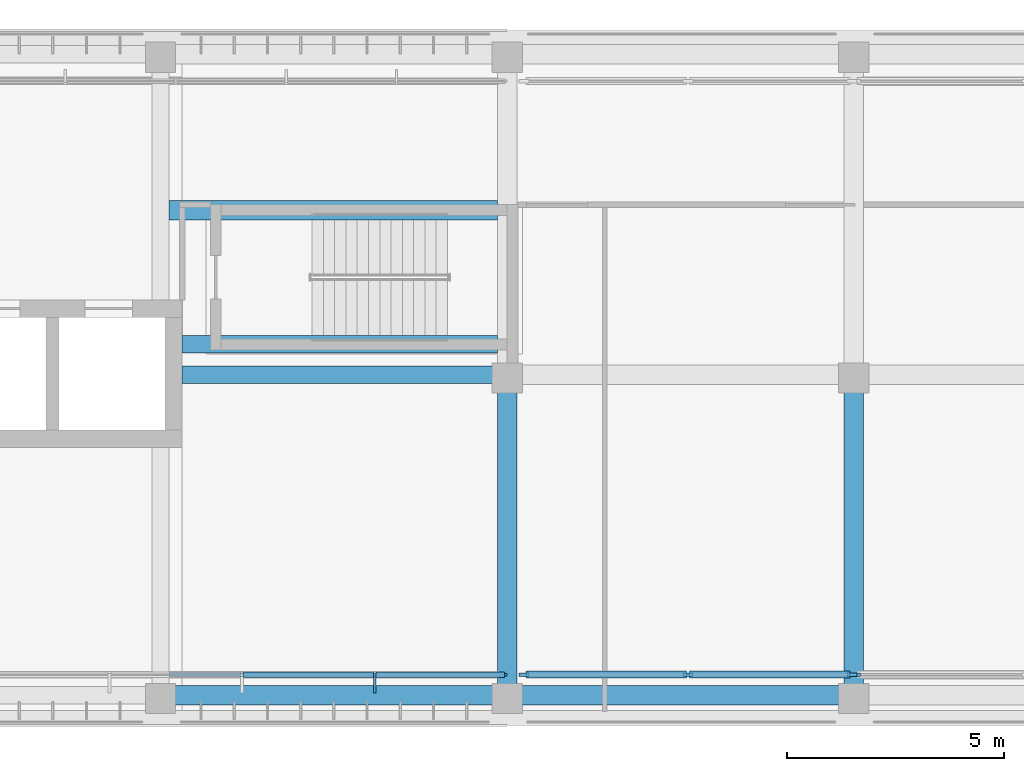
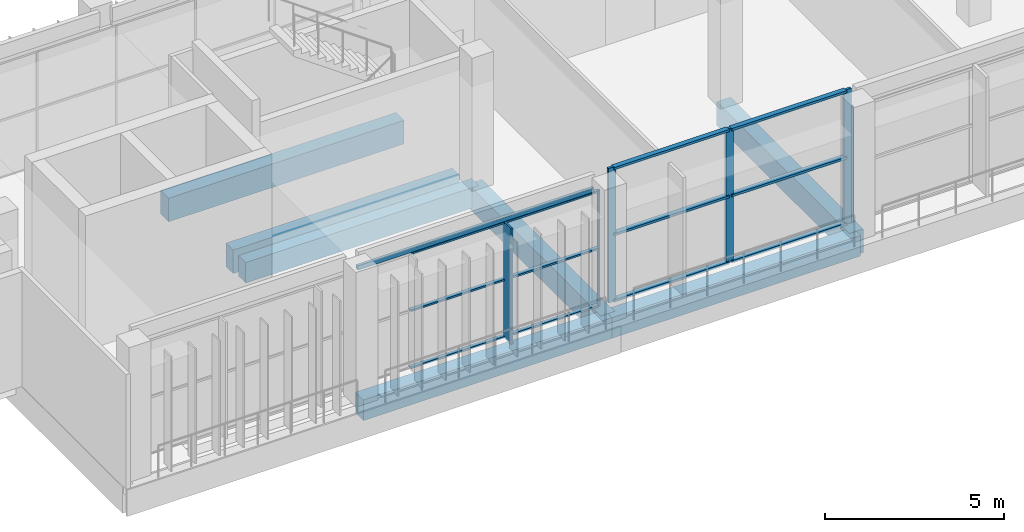
# One storey, part 5 of 46: 18 members, 8 beams, 3 elements without a shape of their own.
"""IFC4 building model written with IfcOpenShell, lengths in metres."""

from ifc_helpers import new_model, si_unit, direction, frame, origin, origin_2d, place, context, subcontext, project, spatial, rectangle, hollow_rectangle, extrude, material, material_profile, profile_set, type_object, element, aggregate, save


model = new_model("IFC4")

# Units and contexts
model_context = context("Model", 3, precision=1e-05, world=origin(), true_north=direction((0.0, 1.0)))
body_context = subcontext(model_context, "Body", "Model", "MODEL_VIEW")
ifc_project = project(units=[si_unit("LENGTHUNIT", "METRE"), si_unit("AREAUNIT", "SQUARE_METRE"), si_unit("VOLUMEUNIT", "CUBIC_METRE"), si_unit("PLANEANGLEUNIT", "RADIAN"), si_unit("MASSUNIT", "GRAM", prefix="KILO")], contexts=[model_context])

# Site, building, storey
site_placement = place(None, origin())
site = spatial("IfcSite", under=ifc_project, at=site_placement, CompositionType="ELEMENT")
building_placement = place(site_placement, origin())
building = spatial("IfcBuilding", under=site, at=building_placement, Name="Lantern Court Media Centre", CompositionType="ELEMENT")
storey_placement = place(building_placement, frame((0.0, 0.0, 28.800048828125)))
storey = spatial("IfcBuildingStorey", under=building, at=storey_placement, Name="L06", CompositionType="ELEMENT", Elevation=28.800048828125)

# Curtain wall, members
ifc_material_1 = material(Name="Curtain wall bay 3000")
curtain_wall_type_1 = type_object("IfcCurtainWallType", Name="Curtain wall bay 3000", PredefinedType="NOTDEFINED", material=ifc_material_1)
curtain_wall_1_placement = place(storey_placement, origin())
curtain_wall_1 = element("IfcCurtainWall", 1, at=curtain_wall_1_placement, inside=storey, type_object=curtain_wall_type_1, Name="Curtain wall S outer L06", PredefinedType="NOTDEFINED")
ifc_material_2 = material(Name="Anodised aluminium", Category="aluminium")
ifc_material_profile_1 = material_profile(ifc_material_2, rectangle(XDim=0.449951171875, YDim=0.06005859375, at=origin_2d()), Name="AL 60x450")
ifc_profile_set_1 = profile_set([ifc_material_profile_1], Name="Anodised aluminium")
member_type_1 = type_object("IfcMemberType", Name="Curtain wall mullion 60x450", PredefinedType="MULLION", material=ifc_profile_set_1)
member_1_placement = place(storey_placement, frame((36.93994140625, 42.955078125, 0.0), z_axis=(0.0, 0.0, 1.0), x_axis=(0.0, 1.0, 0.0)))
member_1 = element("IfcMember", 2, at=member_1_placement, type_object=member_type_1, Name="CW1 mullion 5", PredefinedType="MULLION", context=body_context, shape_type="SweptSolid", body=[
    extrude(rectangle(XDim=0.449951171875, YDim=0.06005859375, at=origin_2d()), origin(), (0.0, 0.0, 1.0), 3.949951171875),
])
ifc_material_profile_2 = material_profile(ifc_material_2, rectangle(XDim=0.06005859375, YDim=0.06005859375, at=origin_2d()), Name="AL 60x60")
ifc_profile_set_2 = profile_set([ifc_material_profile_2], Name="Anodised aluminium")
member_type_2 = type_object("IfcMemberType", Name="Curtain wall mullion 60x60", PredefinedType="MULLION", material=ifc_profile_set_2)
member_2_placement = place(storey_placement, frame((39.969970703125, 43.14990234375, 0.0), z_axis=(0.0, 0.0, 1.0), x_axis=(0.0, 1.0, 0.0)))
member_2 = element("IfcMember", 3, at=member_2_placement, type_object=member_type_2, Name="CW1 mullion 6", PredefinedType="MULLION", context=body_context, shape_type="SweptSolid", body=[
    extrude(rectangle(XDim=0.06005859375, YDim=0.06005859375, at=origin_2d()), origin(), (0.0, 0.0, 1.0), 3.949951171875),
])

ifc_material_3 = material(Name="Curtain wall bay 4000")
curtain_wall_type_2 = type_object("IfcCurtainWallType", Name="Curtain wall bay 4000", PredefinedType="NOTDEFINED", material=ifc_material_3)
curtain_wall_2_placement = place(storey_placement, origin())
curtain_wall_2 = element("IfcCurtainWall", 4, at=curtain_wall_2_placement, inside=storey, type_object=curtain_wall_type_2, Name="Curtain wall S outer L06", PredefinedType="NOTDEFINED")
ifc_material_profile_3 = material_profile(ifc_material_2, rectangle(XDim=0.080078125, YDim=0.239990234375, at=origin_2d()), Name="AL 80x240")
ifc_profile_set_3 = profile_set([ifc_material_profile_3], Name="Anodised aluminium")
member_type_3 = type_object("IfcMemberType", Name="Curtain wall mullion 80x240", PredefinedType="MULLION", material=ifc_profile_set_3)
member_3_placement = place(storey_placement, frame((40.389892578125, 43.14990234375, 0.0), z_axis=(0.0, 0.0, 1.0), x_axis=(0.0, 1.0, 0.0)))
member_3 = element("IfcMember", 5, at=member_3_placement, type_object=member_type_3, Name="CW3 mullion 1", PredefinedType="MULLION", context=body_context, shape_type="SweptSolid", body=[
    extrude(rectangle(XDim=0.080078125, YDim=0.239990234375, at=origin_2d()), origin(), (0.0, 0.0, 1.0), 4.579833984375),
])
member_4_placement = place(storey_placement, frame((44.175048828125, 43.14990234375, 0.0), z_axis=(0.0, 0.0, 1.0), x_axis=(0.0, 1.0, 0.0)))
member_4 = element("IfcMember", 6, at=member_4_placement, type_object=member_type_3, Name="CW3 mullion 2", PredefinedType="MULLION", context=body_context, shape_type="SweptSolid", body=[
    extrude(rectangle(XDim=0.080078125, YDim=0.239990234375, at=origin_2d()), origin(), (0.0, 0.0, 1.0), 4.579833984375),
])
member_5_placement = place(storey_placement, frame((47.9599609375, 43.14990234375, 0.0), z_axis=(0.0, 0.0, 1.0), x_axis=(0.0, 1.0, 0.0)))
member_5 = element("IfcMember", 7, at=member_5_placement, type_object=member_type_3, Name="CW3 mullion 3", PredefinedType="MULLION", context=body_context, shape_type="SweptSolid", body=[
    extrude(rectangle(XDim=0.080078125, YDim=0.239990234375, at=origin_2d()), origin(), (0.0, 0.0, 1.0), 4.579833984375),
])

# Curtain wall, member
curtain_wall_3_placement = place(storey_placement, origin())
curtain_wall_3 = element("IfcCurtainWall", 8, at=curtain_wall_3_placement, inside=storey, type_object=curtain_wall_type_2, Name="Curtain wall S outer L06", PredefinedType="NOTDEFINED")
member_6_placement = place(storey_placement, frame((48.0400390625, 43.14990234375, 0.0), z_axis=(0.0, 0.0, 1.0), x_axis=(0.0, 1.0, 0.0)))
member_6 = element("IfcMember", 9, at=member_6_placement, type_object=member_type_3, Name="CW3 mullion 1", PredefinedType="MULLION", context=body_context, shape_type="SweptSolid", body=[
    extrude(rectangle(XDim=0.080078125, YDim=0.239990234375, at=origin_2d()), origin(), (0.0, 0.0, 1.0), 3.949951171875),
])
aggregate(curtain_wall_3, [member_6])

# Member
ifc_material_profile_4 = material_profile(ifc_material_2, rectangle(XDim=0.159912109375, YDim=0.080078125, at=origin_2d()), Name="AL 80x160")
ifc_profile_set_4 = profile_set([ifc_material_profile_4], Name="Anodised aluminium")
member_type_4 = type_object("IfcMemberType", Name="Curtain wall transom 160x80", PredefinedType="USERDEFINED", material=ifc_profile_set_4)
member_7_placement = place(storey_placement, frame((40.429931640625, 43.14990234375, 0.0400390625), z_axis=(1.0, 0.0, 0.0), x_axis=(0.0, 1.0, 0.0)))
member_7 = element("IfcMember", 10, at=member_7_placement, type_object=member_type_4, Name="CW3 transom 1.1", ObjectType="TRANSOM", PredefinedType="USERDEFINED", context=body_context, shape_type="SweptSolid", body=[
    extrude(rectangle(XDim=0.159912109375, YDim=0.080078125, at=origin_2d()), origin(), (0.0, 0.0, 1.0), 3.705078125),
])

member_8_placement = place(storey_placement, frame((40.429931640625, 43.14990234375, 2.2900390625), z_axis=(1.0, 0.0, 0.0), x_axis=(0.0, 1.0, 0.0)))
member_8 = element("IfcMember", 11, at=member_8_placement, type_object=member_type_4, Name="CW3 transom 1.2", ObjectType="TRANSOM", PredefinedType="USERDEFINED", context=body_context, shape_type="SweptSolid", body=[
    extrude(rectangle(XDim=0.159912109375, YDim=0.080078125, at=origin_2d()), origin(), (0.0, 0.0, 1.0), 3.705078125),
])

member_9_placement = place(storey_placement, frame((40.429931640625, 43.14990234375, 4.5400390625), z_axis=(1.0, 0.0, 0.0), x_axis=(0.0, 1.0, 0.0)))
member_9 = element("IfcMember", 12, at=member_9_placement, type_object=member_type_4, Name="CW3 transom 1.3", ObjectType="TRANSOM", PredefinedType="USERDEFINED", context=body_context, shape_type="SweptSolid", body=[
    extrude(rectangle(XDim=0.159912109375, YDim=0.080078125, at=origin_2d()), origin(), (0.0, 0.0, 1.0), 3.705078125),
])

member_10_placement = place(storey_placement, frame((44.215087890625, 43.14990234375, 0.0400390625), z_axis=(1.0, 0.0, 0.0), x_axis=(0.0, 1.0, 0.0)))
member_10 = element("IfcMember", 13, at=member_10_placement, type_object=member_type_4, Name="CW3 transom 2.1", ObjectType="TRANSOM", PredefinedType="USERDEFINED", context=body_context, shape_type="SweptSolid", body=[
    extrude(rectangle(XDim=0.159912109375, YDim=0.080078125, at=origin_2d()), origin(), (0.0, 0.0, 1.0), 3.704833984375),
])

member_11_placement = place(storey_placement, frame((44.215087890625, 43.14990234375, 2.2900390625), z_axis=(1.0, 0.0, 0.0), x_axis=(0.0, 1.0, 0.0)))
member_11 = element("IfcMember", 14, at=member_11_placement, type_object=member_type_4, Name="CW3 transom 2.2", ObjectType="TRANSOM", PredefinedType="USERDEFINED", context=body_context, shape_type="SweptSolid", body=[
    extrude(rectangle(XDim=0.159912109375, YDim=0.080078125, at=origin_2d()), origin(), (0.0, 0.0, 1.0), 3.704833984375),
])

member_12_placement = place(storey_placement, frame((44.215087890625, 43.14990234375, 4.5400390625), z_axis=(1.0, 0.0, 0.0), x_axis=(0.0, 1.0, 0.0)))
member_12 = element("IfcMember", 15, at=member_12_placement, type_object=member_type_4, Name="CW3 transom 2.3", ObjectType="TRANSOM", PredefinedType="USERDEFINED", context=body_context, shape_type="SweptSolid", body=[
    extrude(rectangle(XDim=0.159912109375, YDim=0.080078125, at=origin_2d()), origin(), (0.0, 0.0, 1.0), 3.704833984375),
])

aggregate(curtain_wall_2, [member_3, member_4, member_5, member_7, member_8, member_9, member_10, member_11, member_12])

ifc_material_profile_5 = material_profile(ifc_material_2, rectangle(XDim=0.1201171875, YDim=0.06005859375, at=origin_2d()), Name="AL 60x120")
ifc_profile_set_5 = profile_set([ifc_material_profile_5], Name="Anodised aluminium")
member_type_5 = type_object("IfcMemberType", Name="Curtain wall transom 60x120", PredefinedType="USERDEFINED", material=ifc_profile_set_5)
member_13_placement = place(storey_placement, frame((33.909912109375, 43.14990234375, 0.030029296875), z_axis=(1.0, 0.0, 0.0), x_axis=(0.0, 1.0, 0.0)))
member_13 = element("IfcMember", 16, at=member_13_placement, type_object=member_type_5, Name="CW1 transom 4.1", ObjectType="TRANSOM", PredefinedType="USERDEFINED", context=body_context, shape_type="SweptSolid", body=[
    extrude(rectangle(XDim=0.1201171875, YDim=0.06005859375, at=origin_2d()), origin(), (0.0, 0.0, 1.0), 3.0),
])

member_14_placement = place(storey_placement, frame((33.909912109375, 43.14990234375, 1.974853515625), z_axis=(1.0, 0.0, 0.0), x_axis=(0.0, 1.0, 0.0)))
member_14 = element("IfcMember", 17, at=member_14_placement, type_object=member_type_5, Name="CW1 transom 4.2", ObjectType="TRANSOM", PredefinedType="USERDEFINED", context=body_context, shape_type="SweptSolid", body=[
    extrude(rectangle(XDim=0.1201171875, YDim=0.06005859375, at=origin_2d()), origin(), (0.0, 0.0, 1.0), 3.0),
])

member_15_placement = place(storey_placement, frame((33.909912109375, 43.14990234375, 3.919921875), z_axis=(1.0, 0.0, 0.0), x_axis=(0.0, 1.0, 0.0)))
member_15 = element("IfcMember", 18, at=member_15_placement, type_object=member_type_5, Name="CW1 transom 4.3", ObjectType="TRANSOM", PredefinedType="USERDEFINED", context=body_context, shape_type="SweptSolid", body=[
    extrude(rectangle(XDim=0.1201171875, YDim=0.06005859375, at=origin_2d()), origin(), (0.0, 0.0, 1.0), 3.0),
])

member_16_placement = place(storey_placement, frame((36.969970703125, 43.14990234375, 0.030029296875), z_axis=(1.0, 0.0, 0.0), x_axis=(0.0, 1.0, 0.0)))
member_16 = element("IfcMember", 19, at=member_16_placement, type_object=member_type_5, Name="CW1 transom 5.1", ObjectType="TRANSOM", PredefinedType="USERDEFINED", context=body_context, shape_type="SweptSolid", body=[
    extrude(rectangle(XDim=0.1201171875, YDim=0.06005859375, at=origin_2d()), origin(), (0.0, 0.0, 1.0), 2.969970703125),
])

member_17_placement = place(storey_placement, frame((36.969970703125, 43.14990234375, 1.974853515625), z_axis=(1.0, 0.0, 0.0), x_axis=(0.0, 1.0, 0.0)))
member_17 = element("IfcMember", 20, at=member_17_placement, type_object=member_type_5, Name="CW1 transom 5.2", ObjectType="TRANSOM", PredefinedType="USERDEFINED", context=body_context, shape_type="SweptSolid", body=[
    extrude(rectangle(XDim=0.1201171875, YDim=0.06005859375, at=origin_2d()), origin(), (0.0, 0.0, 1.0), 2.969970703125),
])

member_18_placement = place(storey_placement, frame((36.969970703125, 43.14990234375, 3.919921875), z_axis=(1.0, 0.0, 0.0), x_axis=(0.0, 1.0, 0.0)))
member_18 = element("IfcMember", 21, at=member_18_placement, type_object=member_type_5, Name="CW1 transom 5.3", ObjectType="TRANSOM", PredefinedType="USERDEFINED", context=body_context, shape_type="SweptSolid", body=[
    extrude(rectangle(XDim=0.1201171875, YDim=0.06005859375, at=origin_2d()), origin(), (0.0, 0.0, 1.0), 2.969970703125),
])

aggregate(curtain_wall_1, [member_1, member_2, member_13, member_14, member_15, member_16, member_17, member_18])

# Beams
ifc_material_4 = material(Name="Steel S355J2 (EN 10025-2)", Category="steel")
ifc_material_profile_6 = material_profile(ifc_material_4, hollow_rectangle(XDim=0.10009765625, YDim=0.14990234375, WallThickness=0.00634765625, InnerFilletRadius=0.00634765625, OuterFilletRadius=0.009521484375, at=origin_2d()), Name="Facade head lintel RHS 150x100x6.3")
ifc_profile_set_6 = profile_set([ifc_material_profile_6], Name="Steel S355J2 (EN 10025-2)")
beam_type_1 = type_object("IfcBeamType", Name="Facade head lintel RHS 150x100x6.3", PredefinedType="BEAM", material=ifc_profile_set_6)
beam_1_placement = place(storey_placement, frame((32.199951171875, 43.14990234375, 4.02490234375), z_axis=(1.0, 0.0, 0.0), x_axis=(0.0, 1.0, 0.0)))
element("IfcBeam", 22, at=beam_1_placement, inside=storey, type_object=beam_type_1, Name="Facade head lintel S L06", PredefinedType="BEAM", context=body_context, shape_type="SweptSolid", body=[
    extrude(hollow_rectangle(XDim=0.10009765625, YDim=0.14990234375, WallThickness=0.00634765625, InnerFilletRadius=0.00634765625, OuterFilletRadius=0.009521484375, at=origin_2d()), origin(), (0.0, 0.0, 1.0), 7.60009765625),
])
ifc_material_5 = material(Name="Concrete C35", Category="concrete")
ifc_material_profile_7 = material_profile(ifc_material_5, rectangle(XDim=0.39990234375, YDim=0.699951171875, at=origin_2d()), Name="RC 400x700")
ifc_profile_set_7 = profile_set([ifc_material_profile_7], Name="Concrete C35")
beam_type_2 = type_object("IfcBeamType", Name="RC BEAM 400x700", PredefinedType="BEAM", material=ifc_profile_set_7)
beam_2_placement = place(storey_placement, frame((32.5, 50.072998046875, -0.35009765625), z_axis=(1.0, 0.0, 0.0), x_axis=(0.0, 1.0, 0.0)))
element("IfcBeam", 23, at=beam_2_placement, inside=storey, type_object=beam_type_2, Name="LB-S-L06-1-01", PredefinedType="BEAM", context=body_context, shape_type="SweptSolid", body=[
    extrude(rectangle(XDim=0.39990234375, YDim=0.699951171875, at=origin_2d()), origin(), (0.0, 0.0, 1.0), 7.5),
])
ifc_material_profile_8 = material_profile(ifc_material_5, rectangle(XDim=0.39990234375, YDim=0.800048828125, at=origin_2d()), Name="RC 400x800")
ifc_profile_set_8 = profile_set([ifc_material_profile_8], Name="Concrete C35")
beam_type_3 = type_object("IfcBeamType", Name="RC BEAM 400x800", PredefinedType="BEAM", material=ifc_profile_set_8)
beam_3_placement = place(storey_placement, frame((32.5, 50.77490234375, -0.400146484375), z_axis=(1.0, 0.0, 0.0), x_axis=(0.0, 1.0, 0.0)))
element("IfcBeam", 24, at=beam_3_placement, inside=storey, type_object=beam_type_3, Name="WB-V3-ST-W-L06-S", PredefinedType="BEAM", context=body_context, shape_type="SweptSolid", body=[
    extrude(rectangle(XDim=0.39990234375, YDim=0.800048828125, at=origin_2d()), origin(), (0.0, 0.0, 1.0), 7.280029296875),
])
ifc_material_profile_9 = material_profile(ifc_material_5, rectangle(XDim=0.449951171875, YDim=0.699951171875, at=origin_2d()), Name="RC 450x700")
ifc_profile_set_9 = profile_set([ifc_material_profile_9], Name="Concrete C35")
beam_type_4 = type_object("IfcBeamType", Name="RC BEAM 450x700", PredefinedType="BEAM", material=ifc_profile_set_9)
for number, where, z_axis, x_axis, name in (
    (25, (32.0, 42.6728515625, -0.35009765625), (1.0, 0.0, 0.0), (0.0, 1.0, 0.0), "LB-S-L06-0-1"),
    (26, (40.0, 42.6728515625, -0.35009765625), (1.0, 0.0, 0.0), (0.0, 1.0, 0.0), "LB-S-L06-0-2"),
):
    element("IfcBeam", number, at=place(storey_placement, frame(where, z_axis=z_axis, x_axis=x_axis)), inside=storey, type_object=beam_type_4, Name=name, PredefinedType="BEAM", context=body_context, shape_type="SweptSolid", body=[
        extrude(rectangle(XDim=0.449951171875, YDim=0.699951171875, at=origin_2d()), origin(), (0.0, 0.0, 1.0), 8.0),
    ])
ifc_material_profile_10 = material_profile(ifc_material_5, rectangle(XDim=0.449951171875, YDim=0.800048828125, at=origin_2d()), Name="RC 450x800")
ifc_profile_set_10 = profile_set([ifc_material_profile_10], Name="Concrete C35")
beam_type_5 = type_object("IfcBeamType", Name="RC BEAM 450x800", PredefinedType="BEAM", material=ifc_profile_set_10)
for number, where, z_axis, x_axis, name in (
    (27, (40.0, 42.683349609375, -0.400146484375), (0.0, 1.0, 0.0), (-1.0, 0.0, 0.0), "TB-S-L06-2-1"),
    (28, (48.0, 42.683349609375, -0.400146484375), (0.0, 1.0, 0.0), (-1.0, 0.0, 0.0), "TB-S-L06-3-1"),
):
    element("IfcBeam", number, at=place(storey_placement, frame(where, z_axis=z_axis, x_axis=x_axis)), inside=storey, type_object=beam_type_5, Name=name, PredefinedType="BEAM", context=body_context, shape_type="SweptSolid", body=[
        extrude(rectangle(XDim=0.449951171875, YDim=0.800048828125, at=origin_2d()), origin(), (0.0, 0.0, 1.0), 7.39990234375),
    ])
beam_4_placement = place(storey_placement, frame((32.199951171875, 53.875, -0.400146484375), z_axis=(1.0, 0.0, 0.0), x_axis=(0.0, 1.0, 0.0)))
element("IfcBeam", 29, at=beam_4_placement, inside=storey, type_object=beam_type_5, Name="WB-V3-ST-W-L06-N", PredefinedType="BEAM", context=body_context, shape_type="SweptSolid", body=[
    extrude(rectangle(XDim=0.449951171875, YDim=0.800048828125, at=origin_2d()), origin(), (0.0, 0.0, 1.0), 7.580078125),
])

save(model, "model.ifc")
